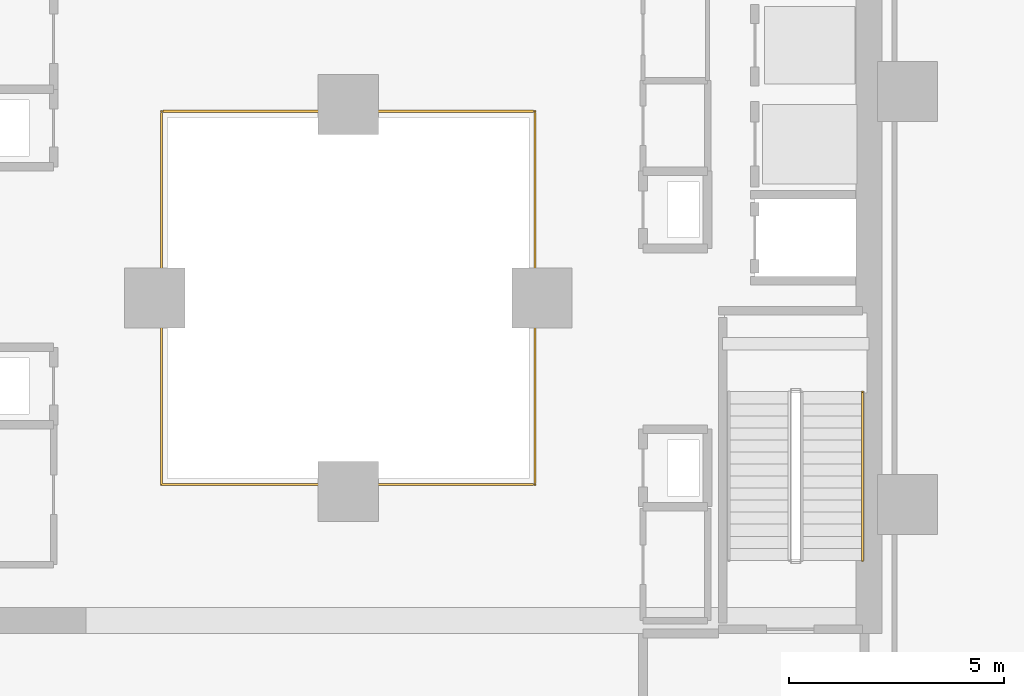
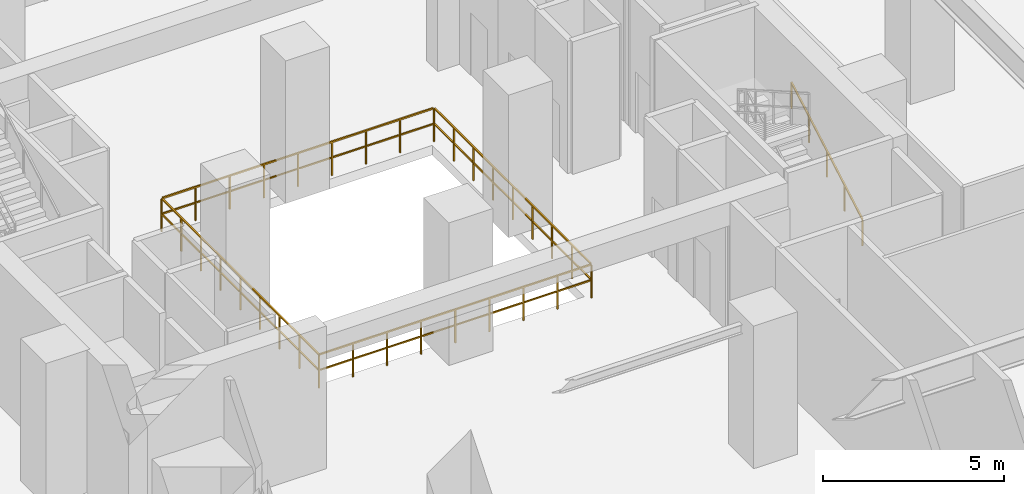
# One storey, part 23 of 24: 2 railings.
"""IFC4 building model written with IfcOpenShell, lengths in metres."""

from ifc_helpers import new_model, si_unit, direction, frame, origin, origin_2d, place, context, subcontext, project, spatial, rectangle, extrude, material, type_object, element, save


model = new_model("IFC4")

# Units and contexts
model_context = context("Model", 3, precision=1e-05, world=origin(), true_north=direction((0.0, 1.0)))
body_context = subcontext(model_context, "Body", "Model", "MODEL_VIEW")
ifc_project = project(units=[si_unit("LENGTHUNIT", "METRE"), si_unit("AREAUNIT", "SQUARE_METRE"), si_unit("VOLUMEUNIT", "CUBIC_METRE"), si_unit("PLANEANGLEUNIT", "RADIAN"), si_unit("MASSUNIT", "GRAM", prefix="KILO")], contexts=[model_context])

# Site, building, storey
site_placement = place(None, origin())
site = spatial("IfcSite", under=ifc_project, at=site_placement, CompositionType="ELEMENT")
building_placement = place(site_placement, origin())
building = spatial("IfcBuilding", under=site, at=building_placement, Name="Thornwick Lancets Civic Towers", CompositionType="ELEMENT")
storey_placement = place(building_placement, origin())
storey = spatial("IfcBuildingStorey", under=building, at=storey_placement, Name="L00", CompositionType="ELEMENT", Elevation=0.0)

# Railings
ifc_material_1 = material(Name="Laminated glass and bronze steel S355", Category="steel")
railing_type_1 = type_object("IfcRailingType", Name="RAIL_ATRIUM_GUARD", PredefinedType="BALUSTRADE", material=ifc_material_1)
railing_1_placement = place(storey_placement, frame((84.159912109375, 22.659912109375, 0.0)))
element("IfcRailing", 1, at=railing_1_placement, inside=storey, type_object=railing_type_1, Name="L00 Tower B Central Atrium Guard Balustrade", PredefinedType="BALUSTRADE", context=body_context, shape_type="SweptSolid", body=[
    extrude(rectangle(XDim=0.048095703125, YDim=0.048095703125, at=origin_2d()), frame((0.0, 0.0, 1.1259765625), z_axis=(1.0, 0.0, 0.0), x_axis=(0.0, 1.0, 0.0)), (0.0, 0.0, 1.0), 8.64892578125),
    extrude(rectangle(XDim=0.0419921875, YDim=0.0419921875, at=origin_2d()), frame((0.03759765625, 0.0, 0.597900390625), z_axis=(1.0, 0.0, 0.0), x_axis=(0.0, 1.0, 0.0)), (0.0, 0.0, 1.0), 1.010009765625),
    extrude(rectangle(XDim=0.0419921875, YDim=0.0419921875, at=origin_2d()), frame((1.12255859375, 0.0, 0.597900390625), z_axis=(1.0, 0.0, 0.0), x_axis=(0.0, 1.0, 0.0)), (0.0, 0.0, 1.0), 1.010009765625),
    extrude(rectangle(XDim=0.0419921875, YDim=0.0419921875, at=origin_2d()), frame((2.20751953125, 0.0, 0.597900390625), z_axis=(1.0, 0.0, 0.0), x_axis=(0.0, 1.0, 0.0)), (0.0, 0.0, 1.0), 1.010009765625),
    extrude(rectangle(XDim=0.0419921875, YDim=0.0419921875, at=origin_2d()), frame((3.29248046875, 0.0, 0.597900390625), z_axis=(1.0, 0.0, 0.0), x_axis=(0.0, 1.0, 0.0)), (0.0, 0.0, 1.0), 1.010009765625),
    extrude(rectangle(XDim=0.0419921875, YDim=0.0419921875, at=origin_2d()), frame((4.377685546875, 0.0, 0.597900390625), z_axis=(1.0, 0.0, 0.0), x_axis=(0.0, 1.0, 0.0)), (0.0, 0.0, 1.0), 1.010009765625),
    extrude(rectangle(XDim=0.0419921875, YDim=0.0419921875, at=origin_2d()), frame((5.462646484375, 0.0, 0.597900390625), z_axis=(1.0, 0.0, 0.0), x_axis=(0.0, 1.0, 0.0)), (0.0, 0.0, 1.0), 1.010009765625),
    extrude(rectangle(XDim=0.0419921875, YDim=0.0419921875, at=origin_2d()), frame((6.547607421875, 0.0, 0.597900390625), z_axis=(1.0, 0.0, 0.0), x_axis=(0.0, 1.0, 0.0)), (0.0, 0.0, 1.0), 1.010009765625),
    extrude(rectangle(XDim=0.0419921875, YDim=0.0419921875, at=origin_2d()), frame((7.632568359375, 0.0, 0.597900390625), z_axis=(1.0, 0.0, 0.0), x_axis=(0.0, 1.0, 0.0)), (0.0, 0.0, 1.0), 1.010009765625),
    extrude(rectangle(XDim=0.048095703125, YDim=0.048095703125, at=origin_2d()), frame((8.68017578125, 0.03125, 1.1259765625), z_axis=(0.0, 1.0, 0.0), x_axis=(-1.0, 0.0, 0.0)), (0.0, 0.0, 1.0), 8.61767578125),
    extrude(rectangle(XDim=0.0419921875, YDim=0.0419921875, at=origin_2d()), frame((8.68017578125, 0.03759765625, 0.597900390625), z_axis=(0.0, 1.0, 0.0), x_axis=(-1.0, 0.0, 0.0)), (0.0, 0.0, 1.0), 1.010009765625),
    extrude(rectangle(XDim=0.0419921875, YDim=0.0419921875, at=origin_2d()), frame((8.68017578125, 1.12255859375, 0.597900390625), z_axis=(0.0, 1.0, 0.0), x_axis=(-1.0, 0.0, 0.0)), (0.0, 0.0, 1.0), 1.010009765625),
    extrude(rectangle(XDim=0.0419921875, YDim=0.0419921875, at=origin_2d()), frame((8.68017578125, 2.20751953125, 0.597900390625), z_axis=(0.0, 1.0, 0.0), x_axis=(-1.0, 0.0, 0.0)), (0.0, 0.0, 1.0), 1.010009765625),
    extrude(rectangle(XDim=0.0419921875, YDim=0.0419921875, at=origin_2d()), frame((8.68017578125, 3.29248046875, 0.597900390625), z_axis=(0.0, 1.0, 0.0), x_axis=(-1.0, 0.0, 0.0)), (0.0, 0.0, 1.0), 1.010009765625),
    extrude(rectangle(XDim=0.0419921875, YDim=0.0419921875, at=origin_2d()), frame((8.68017578125, 4.377685546875, 0.597900390625), z_axis=(0.0, 1.0, 0.0), x_axis=(-1.0, 0.0, 0.0)), (0.0, 0.0, 1.0), 1.010009765625),
    extrude(rectangle(XDim=0.0419921875, YDim=0.0419921875, at=origin_2d()), frame((8.68017578125, 5.462646484375, 0.597900390625), z_axis=(0.0, 1.0, 0.0), x_axis=(-1.0, 0.0, 0.0)), (0.0, 0.0, 1.0), 1.010009765625),
    extrude(rectangle(XDim=0.0419921875, YDim=0.0419921875, at=origin_2d()), frame((8.68017578125, 6.547607421875, 0.597900390625), z_axis=(0.0, 1.0, 0.0), x_axis=(-1.0, 0.0, 0.0)), (0.0, 0.0, 1.0), 1.010009765625),
    extrude(rectangle(XDim=0.0419921875, YDim=0.0419921875, at=origin_2d()), frame((8.68017578125, 7.632568359375, 0.597900390625), z_axis=(0.0, 1.0, 0.0), x_axis=(-1.0, 0.0, 0.0)), (0.0, 0.0, 1.0), 1.010009765625),
    extrude(rectangle(XDim=0.048095703125, YDim=0.048095703125, at=origin_2d()), frame((8.64892578125, 8.68017578125, 1.1259765625), z_axis=(-1.0, 0.0, 0.0), x_axis=(0.0, -1.0, 0.0)), (0.0, 0.0, 1.0), 8.61767578125),
    extrude(rectangle(XDim=0.0419921875, YDim=0.0419921875, at=origin_2d()), frame((8.642578125, 8.68017578125, 0.597900390625), z_axis=(-1.0, 0.0, 0.0), x_axis=(0.0, -1.0, 0.0)), (0.0, 0.0, 1.0), 1.010009765625),
    extrude(rectangle(XDim=0.0419921875, YDim=0.0419921875, at=origin_2d()), frame((7.5576171875, 8.68017578125, 0.597900390625), z_axis=(-1.0, 0.0, 0.0), x_axis=(0.0, -1.0, 0.0)), (0.0, 0.0, 1.0), 1.010009765625),
    extrude(rectangle(XDim=0.0419921875, YDim=0.0419921875, at=origin_2d()), frame((6.47265625, 8.68017578125, 0.597900390625), z_axis=(-1.0, 0.0, 0.0), x_axis=(0.0, -1.0, 0.0)), (0.0, 0.0, 1.0), 1.010009765625),
    extrude(rectangle(XDim=0.0419921875, YDim=0.0419921875, at=origin_2d()), frame((5.3876953125, 8.68017578125, 0.597900390625), z_axis=(-1.0, 0.0, 0.0), x_axis=(0.0, -1.0, 0.0)), (0.0, 0.0, 1.0), 1.010009765625),
    extrude(rectangle(XDim=0.0419921875, YDim=0.0419921875, at=origin_2d()), frame((4.302490234375, 8.68017578125, 0.597900390625), z_axis=(-1.0, 0.0, 0.0), x_axis=(0.0, -1.0, 0.0)), (0.0, 0.0, 1.0), 1.010009765625),
    extrude(rectangle(XDim=0.0419921875, YDim=0.0419921875, at=origin_2d()), frame((3.217529296875, 8.68017578125, 0.597900390625), z_axis=(-1.0, 0.0, 0.0), x_axis=(0.0, -1.0, 0.0)), (0.0, 0.0, 1.0), 1.010009765625),
    extrude(rectangle(XDim=0.0419921875, YDim=0.0419921875, at=origin_2d()), frame((2.132568359375, 8.68017578125, 0.597900390625), z_axis=(-1.0, 0.0, 0.0), x_axis=(0.0, -1.0, 0.0)), (0.0, 0.0, 1.0), 1.010009765625),
    extrude(rectangle(XDim=0.0419921875, YDim=0.0419921875, at=origin_2d()), frame((1.047607421875, 8.68017578125, 0.597900390625), z_axis=(-1.0, 0.0, 0.0), x_axis=(0.0, -1.0, 0.0)), (0.0, 0.0, 1.0), 1.010009765625),
    extrude(rectangle(XDim=0.048095703125, YDim=0.048095703125, at=origin_2d()), frame((0.0, 8.64892578125, 1.1259765625), z_axis=(0.0, -1.0, 0.0), x_axis=(1.0, 0.0, 0.0)), (0.0, 0.0, 1.0), 8.64892578125),
    extrude(rectangle(XDim=0.0419921875, YDim=0.0419921875, at=origin_2d()), frame((0.0, 8.642578125, 0.597900390625), z_axis=(0.0, -1.0, 0.0), x_axis=(1.0, 0.0, 0.0)), (0.0, 0.0, 1.0), 1.010009765625),
    extrude(rectangle(XDim=0.0419921875, YDim=0.0419921875, at=origin_2d()), frame((0.0, 7.5576171875, 0.597900390625), z_axis=(0.0, -1.0, 0.0), x_axis=(1.0, 0.0, 0.0)), (0.0, 0.0, 1.0), 1.010009765625),
    extrude(rectangle(XDim=0.0419921875, YDim=0.0419921875, at=origin_2d()), frame((0.0, 6.47265625, 0.597900390625), z_axis=(0.0, -1.0, 0.0), x_axis=(1.0, 0.0, 0.0)), (0.0, 0.0, 1.0), 1.010009765625),
    extrude(rectangle(XDim=0.0419921875, YDim=0.0419921875, at=origin_2d()), frame((0.0, 5.3876953125, 0.597900390625), z_axis=(0.0, -1.0, 0.0), x_axis=(1.0, 0.0, 0.0)), (0.0, 0.0, 1.0), 1.010009765625),
    extrude(rectangle(XDim=0.0419921875, YDim=0.0419921875, at=origin_2d()), frame((0.0, 4.302490234375, 0.597900390625), z_axis=(0.0, -1.0, 0.0), x_axis=(1.0, 0.0, 0.0)), (0.0, 0.0, 1.0), 1.010009765625),
    extrude(rectangle(XDim=0.0419921875, YDim=0.0419921875, at=origin_2d()), frame((0.0, 3.217529296875, 0.597900390625), z_axis=(0.0, -1.0, 0.0), x_axis=(1.0, 0.0, 0.0)), (0.0, 0.0, 1.0), 1.010009765625),
    extrude(rectangle(XDim=0.0419921875, YDim=0.0419921875, at=origin_2d()), frame((0.0, 2.132568359375, 0.597900390625), z_axis=(0.0, -1.0, 0.0), x_axis=(1.0, 0.0, 0.0)), (0.0, 0.0, 1.0), 1.010009765625),
    extrude(rectangle(XDim=0.0419921875, YDim=0.0419921875, at=origin_2d()), frame((0.0, 1.047607421875, 0.597900390625), z_axis=(0.0, -1.0, 0.0), x_axis=(1.0, 0.0, 0.0)), (0.0, 0.0, 1.0), 1.010009765625),
    extrude(rectangle(XDim=0.0419921875, YDim=0.0419921875, at=origin_2d()), origin(), (0.0, 0.0, 1.0), 1.095703125),
    extrude(rectangle(XDim=0.0419921875, YDim=0.0419921875, at=origin_2d()), frame((1.0849609375, 0.0, 0.0)), (0.0, 0.0, 1.0), 1.095703125),
    extrude(rectangle(XDim=0.0419921875, YDim=0.0419921875, at=origin_2d()), frame((2.169921875, 0.0, 0.0)), (0.0, 0.0, 1.0), 1.095703125),
    extrude(rectangle(XDim=0.0419921875, YDim=0.0419921875, at=origin_2d()), frame((3.255126953125, 0.0, 0.0)), (0.0, 0.0, 1.0), 1.095703125),
    extrude(rectangle(XDim=0.0419921875, YDim=0.0419921875, at=origin_2d()), frame((4.340087890625, 0.0, 0.0)), (0.0, 0.0, 1.0), 1.095703125),
    extrude(rectangle(XDim=0.0419921875, YDim=0.0419921875, at=origin_2d()), frame((5.425048828125, 0.0, 0.0)), (0.0, 0.0, 1.0), 1.095703125),
    extrude(rectangle(XDim=0.0419921875, YDim=0.0419921875, at=origin_2d()), frame((6.51025390625, 0.0, 0.0)), (0.0, 0.0, 1.0), 1.095703125),
    extrude(rectangle(XDim=0.0419921875, YDim=0.0419921875, at=origin_2d()), frame((7.59521484375, 0.0, 0.0)), (0.0, 0.0, 1.0), 1.095703125),
    extrude(rectangle(XDim=0.0419921875, YDim=0.0419921875, at=origin_2d()), frame((8.68017578125, 0.0, 0.0)), (0.0, 0.0, 1.0), 1.095703125),
    extrude(rectangle(XDim=0.0419921875, YDim=0.0419921875, at=origin_2d()), frame((8.68017578125, 1.0849609375, 0.0)), (0.0, 0.0, 1.0), 1.095703125),
    extrude(rectangle(XDim=0.0419921875, YDim=0.0419921875, at=origin_2d()), frame((8.68017578125, 2.169921875, 0.0)), (0.0, 0.0, 1.0), 1.095703125),
    extrude(rectangle(XDim=0.0419921875, YDim=0.0419921875, at=origin_2d()), frame((8.68017578125, 3.255126953125, 0.0)), (0.0, 0.0, 1.0), 1.095703125),
    extrude(rectangle(XDim=0.0419921875, YDim=0.0419921875, at=origin_2d()), frame((8.68017578125, 4.340087890625, 0.0)), (0.0, 0.0, 1.0), 1.095703125),
    extrude(rectangle(XDim=0.0419921875, YDim=0.0419921875, at=origin_2d()), frame((8.68017578125, 5.425048828125, 0.0)), (0.0, 0.0, 1.0), 1.095703125),
    extrude(rectangle(XDim=0.0419921875, YDim=0.0419921875, at=origin_2d()), frame((8.68017578125, 6.51025390625, 0.0)), (0.0, 0.0, 1.0), 1.095703125),
    extrude(rectangle(XDim=0.0419921875, YDim=0.0419921875, at=origin_2d()), frame((8.68017578125, 7.59521484375, 0.0)), (0.0, 0.0, 1.0), 1.095703125),
    extrude(rectangle(XDim=0.0419921875, YDim=0.0419921875, at=origin_2d()), frame((8.68017578125, 8.68017578125, 0.0)), (0.0, 0.0, 1.0), 1.095703125),
    extrude(rectangle(XDim=0.0419921875, YDim=0.0419921875, at=origin_2d()), frame((7.59521484375, 8.68017578125, 0.0)), (0.0, 0.0, 1.0), 1.095703125),
    extrude(rectangle(XDim=0.0419921875, YDim=0.0419921875, at=origin_2d()), frame((6.51025390625, 8.68017578125, 0.0)), (0.0, 0.0, 1.0), 1.095703125),
    extrude(rectangle(XDim=0.0419921875, YDim=0.0419921875, at=origin_2d()), frame((5.425048828125, 8.68017578125, 0.0)), (0.0, 0.0, 1.0), 1.095703125),
    extrude(rectangle(XDim=0.0419921875, YDim=0.0419921875, at=origin_2d()), frame((4.340087890625, 8.68017578125, 0.0)), (0.0, 0.0, 1.0), 1.095703125),
    extrude(rectangle(XDim=0.0419921875, YDim=0.0419921875, at=origin_2d()), frame((3.255126953125, 8.68017578125, 0.0)), (0.0, 0.0, 1.0), 1.095703125),
    extrude(rectangle(XDim=0.0419921875, YDim=0.0419921875, at=origin_2d()), frame((2.169921875, 8.68017578125, 0.0)), (0.0, 0.0, 1.0), 1.095703125),
    extrude(rectangle(XDim=0.0419921875, YDim=0.0419921875, at=origin_2d()), frame((1.0849609375, 8.68017578125, 0.0)), (0.0, 0.0, 1.0), 1.095703125),
    extrude(rectangle(XDim=0.0419921875, YDim=0.0419921875, at=origin_2d()), frame((0.0, 8.68017578125, 0.0)), (0.0, 0.0, 1.0), 1.095703125),
    extrude(rectangle(XDim=0.0419921875, YDim=0.0419921875, at=origin_2d()), frame((0.0, 7.59521484375, 0.0)), (0.0, 0.0, 1.0), 1.095703125),
    extrude(rectangle(XDim=0.0419921875, YDim=0.0419921875, at=origin_2d()), frame((0.0, 6.51025390625, 0.0)), (0.0, 0.0, 1.0), 1.095703125),
    extrude(rectangle(XDim=0.0419921875, YDim=0.0419921875, at=origin_2d()), frame((0.0, 5.425048828125, 0.0)), (0.0, 0.0, 1.0), 1.095703125),
    extrude(rectangle(XDim=0.0419921875, YDim=0.0419921875, at=origin_2d()), frame((0.0, 4.340087890625, 0.0)), (0.0, 0.0, 1.0), 1.095703125),
    extrude(rectangle(XDim=0.0419921875, YDim=0.0419921875, at=origin_2d()), frame((0.0, 3.255126953125, 0.0)), (0.0, 0.0, 1.0), 1.095703125),
    extrude(rectangle(XDim=0.0419921875, YDim=0.0419921875, at=origin_2d()), frame((0.0, 2.169921875, 0.0)), (0.0, 0.0, 1.0), 1.095703125),
    extrude(rectangle(XDim=0.0419921875, YDim=0.0419921875, at=origin_2d()), frame((0.0, 1.0849609375, 0.0)), (0.0, 0.0, 1.0), 1.095703125),
])
ifc_material_2 = material(Name="Brushed stainless steel S355", Category="steel")
railing_type_2 = type_object("IfcRailingType", Name="RAIL_HANDRAIL", PredefinedType="HANDRAIL", material=ifc_material_2)
railing_2_placement = place(storey_placement, frame((100.449951171875, 20.89990234375, 0.159912109375)))
element("IfcRailing", 2, at=railing_2_placement, inside=storey, type_object=railing_type_2, Name="L00 ST-B1 stair handrail 1", PredefinedType="HANDRAIL", context=body_context, shape_type="SweptSolid", body=[
    extrude(rectangle(XDim=0.048095703125, YDim=0.048095703125, at=origin_2d()), frame((0.0, 0.0, 0.8857421875), z_axis=(0.0, 0.86825312469, 0.496121468458), x_axis=(-1.0, 0.0, 0.0)), (0.0, 0.0, 1.0), 4.514892578125),
    extrude(rectangle(XDim=0.0419921875, YDim=0.0419921875, at=origin_2d()), origin(), (0.0, 0.0, 1.0), 0.855712890625),
    extrude(rectangle(XDim=0.0419921875, YDim=0.0419921875, at=origin_2d()), frame((0.0, 0.97998046875, 0.56005859375)), (0.0, 0.0, 1.0), 0.855712890625),
    extrude(rectangle(XDim=0.0419921875, YDim=0.0419921875, at=origin_2d()), frame((0.0, 1.9599609375, 1.1201171875)), (0.0, 0.0, 1.0), 0.855712890625),
    extrude(rectangle(XDim=0.0419921875, YDim=0.0419921875, at=origin_2d()), frame((0.0, 2.940185546875, 1.679931640625)), (0.0, 0.0, 1.0), 0.855712890625),
    extrude(rectangle(XDim=0.0419921875, YDim=0.0419921875, at=origin_2d()), frame((0.0, 3.920166015625, 2.239990234375)), (0.0, 0.0, 1.0), 0.855712890625),
])

save(model, "model.ifc")
